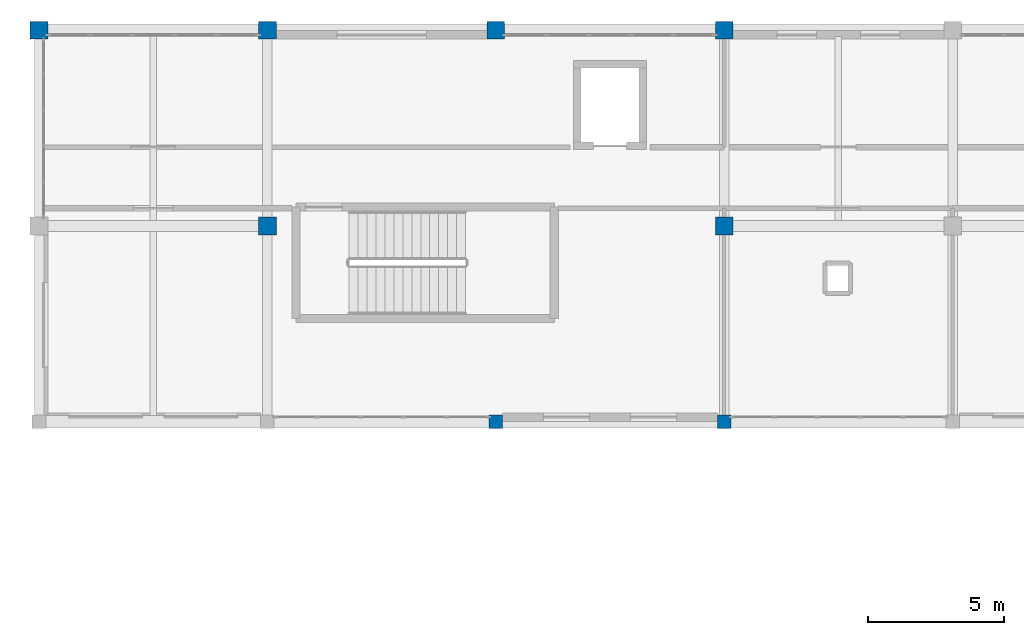
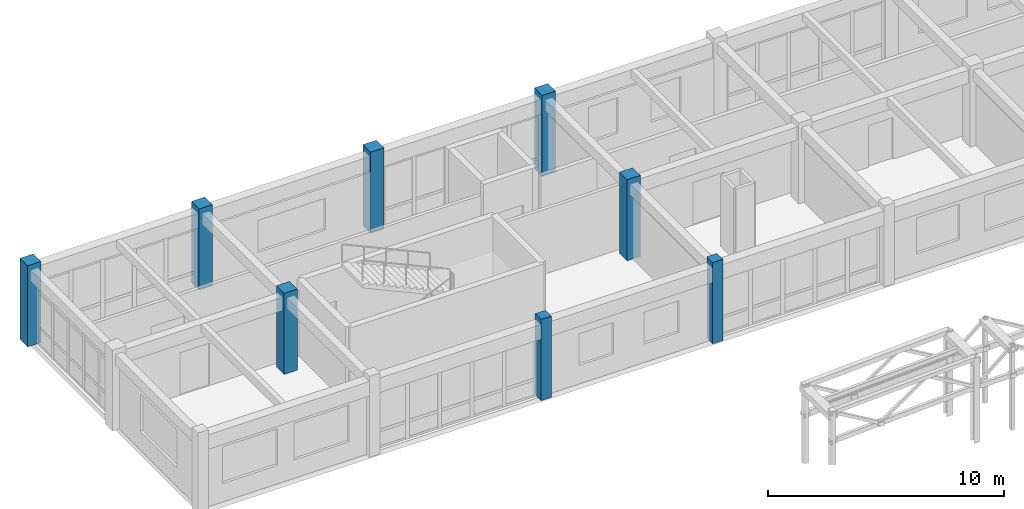
# One storey, part 8 of 89: 8 columns.
"""IFC4 building model written with IfcOpenShell, lengths in metres."""

import ifcopenshell
import ifcopenshell.guid

model = None  # the IFC model being written
_history = None  # IfcOwnerHistory: only IFC2X3 demands one
_inside = {}  # id of a spatial element -> (the spatial element, [elements in it])
_under = {}  # id of a project, library or spatial element -> (it, [spatial elements below it])
_declared = {}  # id of a project -> (the project, [libraries it declares])
_typed = {}  # id of a type object -> (the type object, [elements of that type])
_made_of = {}  # id of a material, layer set ... -> (it, [elements and type objects made of it])


def new_model(schema):
    """Start an empty IFC model of exactly this schema.

    Asked for "IFC4X3", IfcOpenShell would pick the latest addendum, in which some entities
    have other attributes; the version numbers below select the first issue.
    IFC2X3 requires an IfcOwnerHistory on every rooted entity: one is made here for all.
    """
    global model, _history
    if schema == "IFC4X3":
        model = ifcopenshell.file(schema_version=(4, 3, 0, 0))
    else:
        model = ifcopenshell.file(schema=schema)
    _inside.clear()
    _under.clear()
    _declared.clear()
    _typed.clear()
    _made_of.clear()
    _history = None
    if model.schema == "IFC2X3":
        org = make("IfcOrganization", Name="unknown")
        user = make(
            "IfcPersonAndOrganization",
            ThePerson=make("IfcPerson", FamilyName="unknown"),
            TheOrganization=org,
        )
        app = make(
            "IfcApplication",
            ApplicationDeveloper=org,
            Version="unknown",
            ApplicationFullName="unknown",
            ApplicationIdentifier="unknown",
        )
        _history = make(
            "IfcOwnerHistory",
            OwningUser=user,
            OwningApplication=app,
            ChangeAction="ADDED",
            CreationDate=0,
        )
    return model


def make(cls, **values):
    """One entity of the class cls with the attributes given. An attribute that is None is left unset."""
    return model.create_entity(
        cls, **{name: value for name, value in values.items() if value is not None}
    )


def rooted(cls, **values):
    """An entity with a GlobalId (a new one), such as an element, a storey or a relation."""
    return make(cls, GlobalId=ifcopenshell.guid.new(), OwnerHistory=_history, **values)


def si_unit(unit_type, name, prefix=None):
    """IfcSIUnit, for example si_unit("LENGTHUNIT", "METRE", prefix="MILLI")."""
    return make("IfcSIUnit", UnitType=unit_type, Prefix=prefix, Name=name)


def assignment(units):
    """IfcUnitAssignment: the units of a project."""
    return None if units is None else make("IfcUnitAssignment", Units=units)


def point(xyz):
    """IfcCartesianPoint."""
    return None if xyz is None else make("IfcCartesianPoint", Coordinates=xyz)


def direction(xyz):
    """IfcDirection."""
    return None if xyz is None else make("IfcDirection", DirectionRatios=xyz)


def frame(location, z_axis=None, x_axis=None):
    """IfcAxis2Placement3D, a coordinate frame: its origin and axes. An axis left out is left unset."""
    return make(
        "IfcAxis2Placement3D",
        Location=point(location),
        Axis=direction(z_axis),
        RefDirection=direction(x_axis),
    )


def frame_2d(location, x_axis=None):
    """IfcAxis2Placement2D, a coordinate frame in the plane: its origin and x axis."""
    return make(
        "IfcAxis2Placement2D", Location=point(location), RefDirection=direction(x_axis)
    )


def origin():
    """The frame at (0, 0, 0) with its axes left unset."""
    return frame((0.0, 0.0, 0.0))


def origin_2d():
    """The frame at (0, 0) in the plane with its x axis left unset."""
    return frame_2d((0.0, 0.0))


def place(relative_to, where):
    """IfcLocalPlacement: puts the frame where relative to a parent placement (None: the world)."""
    return make(
        "IfcLocalPlacement", PlacementRelTo=relative_to, RelativePlacement=where
    )


def context(
    kind, dimensions, precision=None, world=None, true_north=None, identifier=None
):
    """IfcGeometricRepresentationContext, for example the 3D "Model" context."""
    return make(
        "IfcGeometricRepresentationContext",
        ContextIdentifier=identifier,
        ContextType=kind,
        CoordinateSpaceDimension=dimensions,
        Precision=precision,
        WorldCoordinateSystem=world,
        TrueNorth=true_north,
    )


def subcontext(parent, identifier, kind, view, scale=None):
    """IfcGeometricRepresentationSubContext, for example "Body" below "Model"."""
    return make(
        "IfcGeometricRepresentationSubContext",
        ContextIdentifier=identifier,
        ContextType=kind,
        ParentContext=parent,
        TargetScale=scale,
        TargetView=view,
    )


def project(units=None, contexts=None):
    """IfcProject with its units and contexts."""
    return rooted(
        "IfcProject",
        Name="project",
        RepresentationContexts=contexts,
        UnitsInContext=assignment(units),
    )


def spatial(cls, under=None, at=None, **own):
    """A site, building, storey or space (cls), placed at a placement, below another one or the project."""
    s = rooted(cls, ObjectPlacement=at, **own)
    if under is not None:
        _under.setdefault(under.id(), (under, []))[1].append(s)
    return s


def profile(cls, at=None, kind="AREA", **sizes):
    """A parametric profile (cls). Its sizes go by their IFC names, for example OverallWidth=200.0."""
    return make(cls, ProfileType=kind, Position=at, **sizes)


def rectangle(**sizes):
    """IfcRectangleProfileDef."""
    return profile("IfcRectangleProfileDef", **sizes)


def extrude(swept, where, along, depth):
    """IfcExtrudedAreaSolid: the profile swept, set in the frame where, extruded along a direction by depth."""
    return make(
        "IfcExtrudedAreaSolid",
        SweptArea=swept,
        Position=where,
        ExtrudedDirection=direction(along),
        Depth=depth,
    )


def shape(context_of_items, identifier, shape_type, items):
    """IfcShapeRepresentation: the items that make up one representation, for example the "Body"."""
    return make(
        "IfcShapeRepresentation",
        ContextOfItems=context_of_items,
        RepresentationIdentifier=identifier,
        RepresentationType=shape_type,
        Items=items,
    )


def material(Name=None, Category=None):
    """IfcMaterial."""
    return make("IfcMaterial", Name=Name, Category=Category)


def material_profile(
    of_material, cross_section, Name=None, Category=None, Priority=None
):
    """IfcMaterialProfile: a cross section and its material."""
    return make(
        "IfcMaterialProfile",
        Name=Name,
        Material=of_material,
        Profile=cross_section,
        Priority=Priority,
        Category=Category,
    )


def profile_set(profiles, Name=None, composite=None):
    """IfcMaterialProfileSet."""
    return make(
        "IfcMaterialProfileSet",
        Name=Name,
        MaterialProfiles=profiles,
        CompositeProfile=composite,
    )


def made_of(thing, what):
    """Note that an element or type object is made of a material, layer set ...; save() writes the relation."""
    if what is not None:
        _made_of.setdefault(what.id(), (what, []))[1].append(thing)
    return thing


def type_object(cls, material=None, **own):
    """A type object (cls), such as IfcWallType, which elements share."""
    return made_of(rooted(cls, **own), material)


def element(
    cls,
    number,
    at=None,
    inside=None,
    cuts=None,
    type_object=None,
    material=None,
    context=None,
    identifier="Body",
    shape_type=None,
    held_by="IfcProductDefinitionShape",
    body=None,
    shapes=None,
    **own,
):
    """One element of the class cls, such as IfcWall. Its Tag is "e" and its number.

    at: its placement. inside: the storey or other place that contains it. cuts: it is an
    opening in that element (IfcRelVoidsElement). A single representation is given by context,
    identifier, shape_type and body (its items); several are given by shapes. held_by: the class
    of the entity that holds the representations. save() writes the other relations.
    """
    e = rooted(cls, Tag="e%d" % number, ObjectPlacement=at, **own)
    if body is not None:
        shapes = [shape(context, identifier, shape_type, body)]
    if shapes is not None:
        e.Representation = make(held_by, Representations=shapes)
    if inside is not None:
        _inside.setdefault(inside.id(), (inside, []))[1].append(e)
    if cuts is not None:
        rooted(
            "IfcRelVoidsElement", RelatingBuildingElement=cuts, RelatedOpeningElement=e
        )
    if type_object is not None:
        _typed.setdefault(type_object.id(), (type_object, []))[1].append(e)
    return made_of(e, material)


def aggregate(whole, parts):
    """IfcRelAggregates: a whole, such as a stair, and the parts it consists of."""
    return rooted("IfcRelAggregates", RelatingObject=whole, RelatedObjects=parts)


def save(model, path):
    """Write the relations noted so far, then the file.

    IfcRelAggregates (storeys below a building ...), IfcRelContainedInSpatialStructure (elements
    in a storey), IfcRelDefinesByType, IfcRelAssociatesMaterial and IfcRelDeclares: one each for
    every whole, place, type object, material and project.
    """
    for whole, parts in _under.values():
        aggregate(whole, parts)
    for where, things in _inside.values():
        rooted(
            "IfcRelContainedInSpatialStructure",
            RelatedElements=things,
            RelatingStructure=where,
        )
    for kind, things in _typed.values():
        rooted("IfcRelDefinesByType", RelatedObjects=things, RelatingType=kind)
    for what, things in _made_of.values():
        rooted("IfcRelAssociatesMaterial", RelatedObjects=things, RelatingMaterial=what)
    for by, libraries in _declared.values():
        rooted("IfcRelDeclares", RelatingContext=by, RelatedDefinitions=libraries)
    model.write(path)


model = new_model("IFC4")

# Units and contexts
model_context = context("Model", 3, precision=1e-05, world=origin(), true_north=direction((0.0, 1.0)))
body_context = subcontext(model_context, "Body", "Model", "MODEL_VIEW")
ifc_project = project(units=[si_unit("LENGTHUNIT", "METRE"), si_unit("AREAUNIT", "SQUARE_METRE"), si_unit("VOLUMEUNIT", "CUBIC_METRE"), si_unit("PLANEANGLEUNIT", "RADIAN"), si_unit("MASSUNIT", "GRAM", prefix="KILO")], contexts=[model_context])

# Site, building, storey
site_placement = place(None, origin())
site = spatial("IfcSite", under=ifc_project, at=site_placement, CompositionType="ELEMENT")
building_placement = place(site_placement, origin())
building = spatial("IfcBuilding", under=site, at=building_placement, Name="Malvenik Polytechnic", CompositionType="ELEMENT")
storey_placement = place(building_placement, frame((0.0, 0.0, 13.5)))
storey = spatial("IfcBuildingStorey", under=building, at=storey_placement, Name="L03", CompositionType="ELEMENT", Elevation=13.5)

# Columns
ifc_material = material(Name="Concrete C35/45", Category="concrete")
ifc_material_profile_1 = material_profile(ifc_material, rectangle(XDim=0.64990234375, YDim=0.64990234375, at=origin_2d()), Name="RC COL 650x650")
ifc_profile_set_1 = profile_set([ifc_material_profile_1], Name="Concrete C35/45")
column_type_1 = type_object("IfcColumnType", Name="STR-COL-C-05", PredefinedType="COLUMN", material=ifc_profile_set_1)
for number, where, z_axis, x_axis, name in (
    (1, (0.0, 129.60009765625, 0.0), (0.0, 0.0, 1.0), (1.0, 0.0, 0.0), "Column C-05 L03 (0.0,129.6)"),
    (2, (8.39990234375, 122.39990234375, 0.0), (0.0, 0.0, 1.0), (1.0, 0.0, 0.0), "Column C-05 L03 (8.4,122.4)"),
    (3, (8.39990234375, 129.60009765625, 0.0), (0.0, 0.0, 1.0), (1.0, 0.0, 0.0), "Column C-05 L03 (8.4,129.6)"),
    (4, (16.800048828125, 129.60009765625, 0.0), (0.0, 0.0, 1.0), (1.0, 0.0, 0.0), "Column C-05 L03 (16.8,129.6)"),
    (5, (25.199951171875, 122.39990234375, 0.0), (0.0, 0.0, 1.0), (1.0, 0.0, 0.0), "Column C-05 L03 (25.2,122.4)"),
    (6, (25.199951171875, 129.60009765625, 0.0), (0.0, 0.0, 1.0), (1.0, 0.0, 0.0), "Column C-05 L03 (25.2,129.6)"),
):
    element("IfcColumn", number, at=place(storey_placement, frame(where, z_axis=z_axis, x_axis=x_axis)), inside=storey, type_object=column_type_1, Name=name, PredefinedType="COLUMN", context=body_context, shape_type="SweptSolid", body=[
        extrude(rectangle(XDim=0.64990234375, YDim=0.64990234375, at=origin_2d()), origin(), (0.0, 0.0, 1.0), 4.199951171875),
    ])
ifc_material_profile_2 = material_profile(ifc_material, rectangle(XDim=0.5, YDim=0.5, at=origin_2d()), Name="RC COL 500x500")
ifc_profile_set_2 = profile_set([ifc_material_profile_2], Name="Concrete C35/45")
column_type_2 = type_object("IfcColumnType", Name="STR-COL-C-08", PredefinedType="COLUMN", material=ifc_profile_set_2)
for number, where, z_axis, x_axis, name in (
    (7, (16.800048828125, 115.199951171875, 0.0), (0.0, 0.0, 1.0), (1.0, 0.0, 0.0), "Column C-08 L03 (16.8,115.2)"),
    (8, (25.199951171875, 115.199951171875, 0.0), (0.0, 0.0, 1.0), (1.0, 0.0, 0.0), "Column C-08 L03 (25.2,115.2)"),
):
    element("IfcColumn", number, at=place(storey_placement, frame(where, z_axis=z_axis, x_axis=x_axis)), inside=storey, type_object=column_type_2, Name=name, PredefinedType="COLUMN", context=body_context, shape_type="SweptSolid", body=[
        extrude(rectangle(XDim=0.5, YDim=0.5, at=origin_2d()), origin(), (0.0, 0.0, 1.0), 4.199951171875),
    ])

save(model, "model.ifc")
